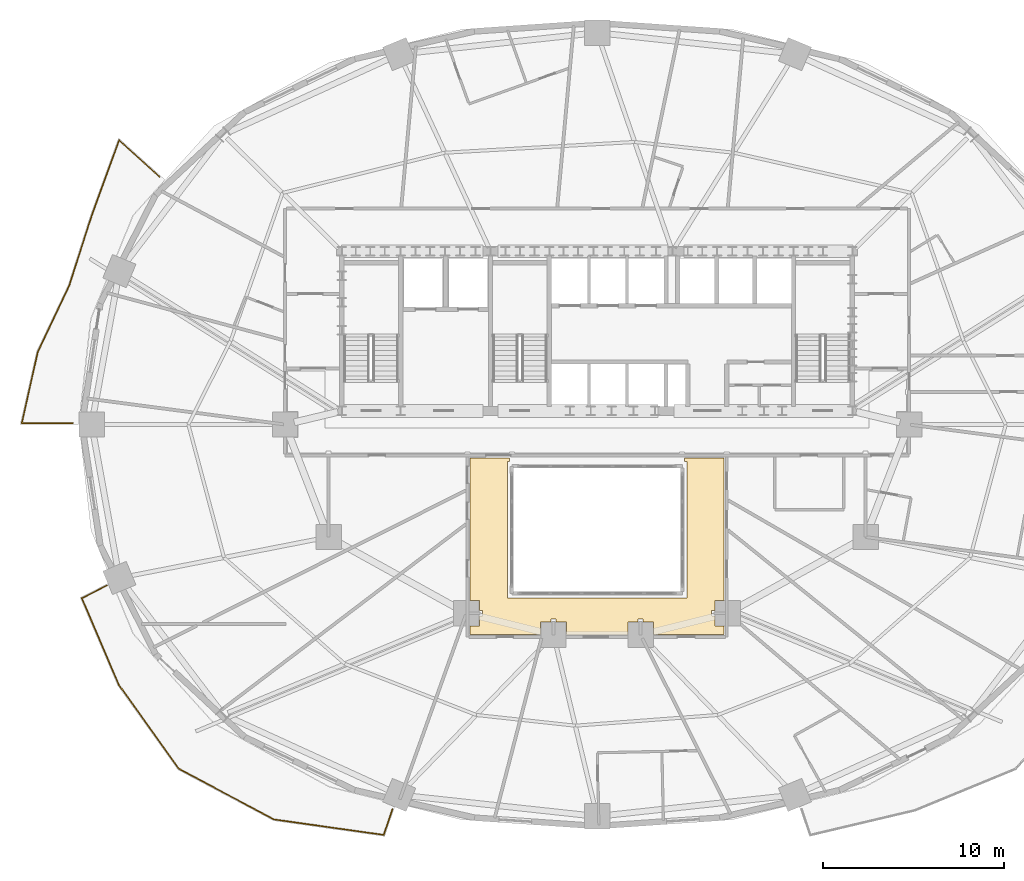
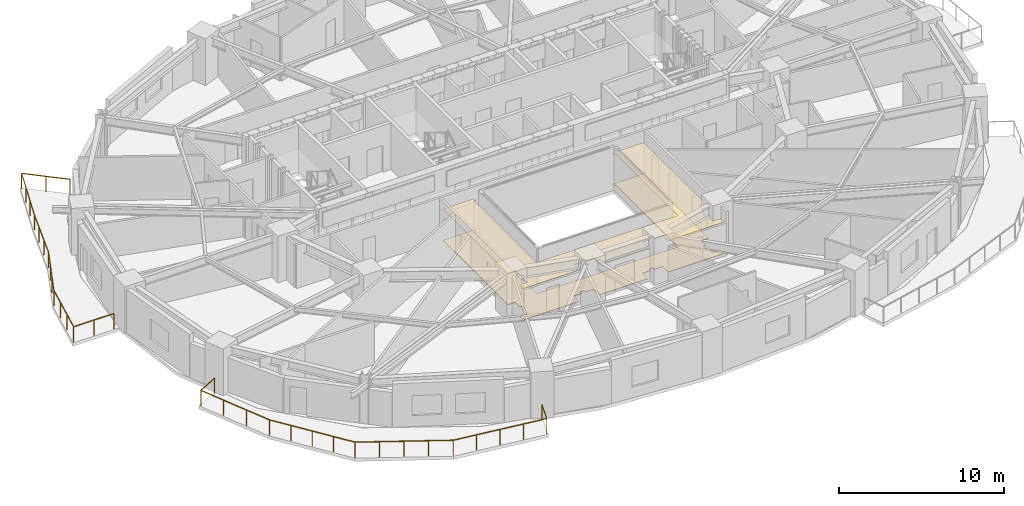
# One storey, part 13 of 15: 2 coverings, 2 railings.
"""IFC4 building model written with IfcOpenShell, lengths in metres."""

from ifc_helpers import new_model, si_unit, direction, frame, origin, origin_2d, place, context, subcontext, project, spatial, polyline, rectangle, outline, extrude, material, layer, layer_set, type_object, element, save


model = new_model("IFC4")

# Units and contexts
model_context = context("Model", 3, precision=1e-05, world=origin(), true_north=direction((0.0, 1.0)))
body_context = subcontext(model_context, "Body", "Model", "MODEL_VIEW")
ifc_project = project(units=[si_unit("LENGTHUNIT", "METRE"), si_unit("AREAUNIT", "SQUARE_METRE"), si_unit("VOLUMEUNIT", "CUBIC_METRE"), si_unit("PLANEANGLEUNIT", "RADIAN"), si_unit("MASSUNIT", "GRAM", prefix="KILO")], contexts=[model_context])

# Site, building, storey
site_placement = place(None, origin())
site = spatial("IfcSite", under=ifc_project, at=site_placement, CompositionType="ELEMENT")
building_placement = place(site_placement, origin())
building = spatial("IfcBuilding", under=site, at=building_placement, Name="Haldorwick Loom Tower", CompositionType="ELEMENT")
storey_placement = place(building_placement, frame((0.0, 0.0, 81.800048828125)))
storey = spatial("IfcBuildingStorey", under=building, at=storey_placement, Name="L21", CompositionType="ELEMENT", Elevation=81.800048828125)

# Coverings
ifc_material_1 = material(Name="Mineral Fibre Acoustic Ceiling Tile")
ifc_layer_1 = layer(ifc_material_1, 0.054931640625, Name="Mineral Fibre Acoustic Ceiling Tile")
ifc_layer_set_1 = layer_set([ifc_layer_1], Name="Mineral Fibre Acoustic Ceiling Tile")
covering_type_1 = type_object("IfcCoveringType", Name="ARC-COV-CEIL2", PredefinedType="CEILING", material=ifc_layer_set_1)
covering_1_placement = place(storey_placement, frame((0.0, 0.0, 2.302001953125)))
element("IfcCovering", 1, at=covering_1_placement, inside=storey, type_object=covering_type_1, Name="L21 Acoustic Suspended Ceiling 1", PredefinedType="CEILING", context=body_context, shape_type="SweptSolid", body=[
    extrude(outline(polyline([(40.820068359375, 24.159912109375), (40.820068359375, 23.949951171875), (40.949951171875, 23.949951171875), (40.949951171875, 16.449951171875), (31.050048828125, 16.449951171875), (31.050048828125, 23.949951171875), (31.179931640625, 23.949951171875), (31.179931640625, 24.159912109375), (28.989990234375, 24.159912109375), (28.989990234375, 16.30810546875), (29.508056640625, 16.30810546875), (29.508056640625, 15.739990234375), (29.669921875, 15.739990234375), (29.672119140625, 15.739990234375), (29.673828125, 15.739501953125), (29.67578125, 15.739013671875), (29.677734375, 15.738525390625), (29.679443359375, 15.737548828125), (29.68115234375, 15.736572265625), (29.6826171875, 15.735595703125), (29.68408203125, 15.734130859375), (29.685546875, 15.732666015625), (29.6865234375, 15.731201171875), (29.6875, 15.7294921875), (29.6884765625, 15.727783203125), (29.689208984375, 15.725830078125), (29.689697265625, 15.723876953125), (29.68994140625, 15.721923828125), (29.68994140625, 15.719970703125), (29.68994140625, 15.47998046875), (29.68994140625, 15.47802734375), (29.689697265625, 15.47607421875), (29.689208984375, 15.47412109375), (29.6884765625, 15.472412109375), (29.6875, 15.470703125), (29.6865234375, 15.468994140625), (29.685546875, 15.46728515625), (29.68408203125, 15.4658203125), (29.6826171875, 15.464599609375), (29.68115234375, 15.46337890625), (29.679443359375, 15.46240234375), (29.677734375, 15.46142578125), (29.67578125, 15.4609375), (29.673828125, 15.46044921875), (29.672119140625, 15.460205078125), (29.669921875, 15.4599609375), (29.508056640625, 15.4599609375), (29.508056640625, 14.89208984375), (28.989990234375, 14.89208984375), (28.989990234375, 14.43994140625), (32.89208984375, 14.43994140625), (32.89208984375, 15.10791015625), (33.4599609375, 15.10791015625), (33.4599609375, 15.27001953125), (33.460205078125, 15.27197265625), (33.46044921875, 15.27392578125), (33.4609375, 15.27587890625), (33.46142578125, 15.277587890625), (33.46240234375, 15.279296875), (33.46337890625, 15.281005859375), (33.464599609375, 15.28271484375), (33.4658203125, 15.2841796875), (33.46728515625, 15.285400390625), (33.468994140625, 15.28662109375), (33.470703125, 15.28759765625), (33.472412109375, 15.28857421875), (33.47412109375, 15.2890625), (33.47607421875, 15.28955078125), (33.47802734375, 15.289794921875), (33.47998046875, 15.2900390625), (33.719970703125, 15.2900390625), (33.721923828125, 15.289794921875), (33.723876953125, 15.28955078125), (33.725830078125, 15.2890625), (33.727783203125, 15.28857421875), (33.7294921875, 15.28759765625), (33.731201171875, 15.28662109375), (33.732666015625, 15.285400390625), (33.734130859375, 15.2841796875), (33.735595703125, 15.28271484375), (33.736572265625, 15.281005859375), (33.737548828125, 15.279296875), (33.738525390625, 15.277587890625), (33.739013671875, 15.27587890625), (33.739501953125, 15.27392578125), (33.739990234375, 15.27197265625), (33.739990234375, 15.27001953125), (33.739990234375, 15.10791015625), (34.30810546875, 15.10791015625), (34.30810546875, 14.43994140625), (37.69189453125, 14.43994140625), (37.69189453125, 15.10791015625), (38.260009765625, 15.10791015625), (38.260009765625, 15.27001953125), (38.260009765625, 15.27197265625), (38.260498046875, 15.27392578125), (38.260986328125, 15.27587890625), (38.261474609375, 15.277587890625), (38.262451171875, 15.279296875), (38.263427734375, 15.281005859375), (38.264404296875, 15.28271484375), (38.265869140625, 15.2841796875), (38.267333984375, 15.285400390625), (38.268798828125, 15.28662109375), (38.2705078125, 15.28759765625), (38.272216796875, 15.28857421875), (38.274169921875, 15.2890625), (38.276123046875, 15.28955078125), (38.278076171875, 15.289794921875), (38.280029296875, 15.2900390625), (38.52001953125, 15.2900390625), (38.52197265625, 15.289794921875), (38.52392578125, 15.28955078125), (38.52587890625, 15.2890625), (38.527587890625, 15.28857421875), (38.529296875, 15.28759765625), (38.531005859375, 15.28662109375), (38.53271484375, 15.285400390625), (38.5341796875, 15.2841796875), (38.535400390625, 15.28271484375), (38.53662109375, 15.28125), (38.53759765625, 15.279541015625), (38.538330078125, 15.277587890625), (38.5390625, 15.27587890625), (38.53955078125, 15.27392578125), (38.539794921875, 15.272216796875), (38.5400390625, 15.27001953125), (38.540771484375, 15.10791015625), (39.10791015625, 15.10791015625), (39.10791015625, 14.43994140625), (43.010009765625, 14.43994140625), (43.010009765625, 14.89208984375), (42.491943359375, 14.89208984375), (42.491943359375, 15.4599609375), (42.330078125, 15.4599609375), (42.327880859375, 15.460205078125), (42.326171875, 15.46044921875), (42.32421875, 15.4609375), (42.322265625, 15.46142578125), (42.320556640625, 15.46240234375), (42.31884765625, 15.46337890625), (42.3173828125, 15.464599609375), (42.31591796875, 15.4658203125), (42.314453125, 15.46728515625), (42.3134765625, 15.468994140625), (42.3125, 15.470703125), (42.3115234375, 15.472412109375), (42.310791015625, 15.47412109375), (42.310302734375, 15.47607421875), (42.31005859375, 15.47802734375), (42.31005859375, 15.47998046875), (42.31005859375, 15.719970703125), (42.31005859375, 15.721923828125), (42.310302734375, 15.723876953125), (42.310791015625, 15.725830078125), (42.3115234375, 15.727783203125), (42.3125, 15.7294921875), (42.3134765625, 15.731201171875), (42.314453125, 15.732666015625), (42.31591796875, 15.734130859375), (42.3173828125, 15.735595703125), (42.31884765625, 15.736572265625), (42.320556640625, 15.737548828125), (42.322265625, 15.738525390625), (42.32421875, 15.739013671875), (42.326171875, 15.739501953125), (42.327880859375, 15.739990234375), (42.330078125, 15.739990234375), (42.491943359375, 15.739990234375), (42.491943359375, 16.30810546875), (43.010009765625, 16.30810546875), (43.010009765625, 24.159912109375), (40.820068359375, 24.159912109375)])), origin(), (0.0, 0.0, 1.0), 0.054931640625),
])
ifc_material_2 = material(Name="Polished Aggregate Terrazzo Finish")
ifc_layer_2 = layer(ifc_material_2, 0.044921875, Name="Polished Aggregate Terrazzo Finish")
ifc_layer_set_2 = layer_set([ifc_layer_2], Name="Polished Aggregate Terrazzo Finish")
covering_type_2 = type_object("IfcCoveringType", Name="ARC-COV-FLOOR2", PredefinedType="FLOORING", material=ifc_layer_set_2)
covering_2_placement = place(storey_placement, origin())
element("IfcCovering", 2, at=covering_2_placement, inside=storey, type_object=covering_type_2, Name="L21 Floor Finish 1", PredefinedType="FLOORING", context=body_context, shape_type="SweptSolid", body=[
    extrude(outline(polyline([(40.820068359375, 24.159912109375), (40.820068359375, 23.949951171875), (40.949951171875, 23.949951171875), (40.949951171875, 16.449951171875), (31.050048828125, 16.449951171875), (31.050048828125, 23.949951171875), (31.179931640625, 23.949951171875), (31.179931640625, 24.159912109375), (28.989990234375, 24.159912109375), (28.989990234375, 16.30810546875), (29.508056640625, 16.30810546875), (29.508056640625, 15.739990234375), (29.669921875, 15.739990234375), (29.672119140625, 15.739990234375), (29.673828125, 15.739501953125), (29.67578125, 15.739013671875), (29.677734375, 15.738525390625), (29.679443359375, 15.737548828125), (29.68115234375, 15.736572265625), (29.6826171875, 15.735595703125), (29.68408203125, 15.734130859375), (29.685546875, 15.732666015625), (29.6865234375, 15.731201171875), (29.6875, 15.7294921875), (29.6884765625, 15.727783203125), (29.689208984375, 15.725830078125), (29.689697265625, 15.723876953125), (29.68994140625, 15.721923828125), (29.68994140625, 15.719970703125), (29.68994140625, 15.47998046875), (29.68994140625, 15.47802734375), (29.689697265625, 15.47607421875), (29.689208984375, 15.47412109375), (29.6884765625, 15.472412109375), (29.6875, 15.470703125), (29.6865234375, 15.468994140625), (29.685546875, 15.46728515625), (29.68408203125, 15.4658203125), (29.6826171875, 15.464599609375), (29.68115234375, 15.46337890625), (29.679443359375, 15.46240234375), (29.677734375, 15.46142578125), (29.67578125, 15.4609375), (29.673828125, 15.46044921875), (29.672119140625, 15.460205078125), (29.669921875, 15.4599609375), (29.508056640625, 15.4599609375), (29.508056640625, 14.89208984375), (28.989990234375, 14.89208984375), (28.989990234375, 14.43994140625), (32.89208984375, 14.43994140625), (32.89208984375, 15.10791015625), (33.4599609375, 15.10791015625), (33.4599609375, 15.27001953125), (33.460205078125, 15.27197265625), (33.46044921875, 15.27392578125), (33.4609375, 15.27587890625), (33.46142578125, 15.277587890625), (33.46240234375, 15.279296875), (33.46337890625, 15.281005859375), (33.464599609375, 15.28271484375), (33.4658203125, 15.2841796875), (33.46728515625, 15.285400390625), (33.468994140625, 15.28662109375), (33.470703125, 15.28759765625), (33.472412109375, 15.28857421875), (33.47412109375, 15.2890625), (33.47607421875, 15.28955078125), (33.47802734375, 15.289794921875), (33.47998046875, 15.2900390625), (33.719970703125, 15.2900390625), (33.721923828125, 15.289794921875), (33.723876953125, 15.28955078125), (33.725830078125, 15.2890625), (33.727783203125, 15.28857421875), (33.7294921875, 15.28759765625), (33.731201171875, 15.28662109375), (33.732666015625, 15.285400390625), (33.734130859375, 15.2841796875), (33.735595703125, 15.28271484375), (33.736572265625, 15.281005859375), (33.737548828125, 15.279296875), (33.738525390625, 15.277587890625), (33.739013671875, 15.27587890625), (33.739501953125, 15.27392578125), (33.739990234375, 15.27197265625), (33.739990234375, 15.27001953125), (33.739990234375, 15.10791015625), (34.30810546875, 15.10791015625), (34.30810546875, 14.43994140625), (37.69189453125, 14.43994140625), (37.69189453125, 15.10791015625), (38.260009765625, 15.10791015625), (38.260009765625, 15.27001953125), (38.260009765625, 15.27197265625), (38.260498046875, 15.27392578125), (38.260986328125, 15.27587890625), (38.261474609375, 15.277587890625), (38.262451171875, 15.279296875), (38.263427734375, 15.281005859375), (38.264404296875, 15.28271484375), (38.265869140625, 15.2841796875), (38.267333984375, 15.285400390625), (38.268798828125, 15.28662109375), (38.2705078125, 15.28759765625), (38.272216796875, 15.28857421875), (38.274169921875, 15.2890625), (38.276123046875, 15.28955078125), (38.278076171875, 15.289794921875), (38.280029296875, 15.2900390625), (38.52001953125, 15.2900390625), (38.52197265625, 15.289794921875), (38.52392578125, 15.28955078125), (38.52587890625, 15.2890625), (38.527587890625, 15.28857421875), (38.529296875, 15.28759765625), (38.531005859375, 15.28662109375), (38.53271484375, 15.285400390625), (38.5341796875, 15.2841796875), (38.535400390625, 15.28271484375), (38.53662109375, 15.28125), (38.53759765625, 15.279541015625), (38.538330078125, 15.277587890625), (38.5390625, 15.27587890625), (38.53955078125, 15.27392578125), (38.539794921875, 15.272216796875), (38.5400390625, 15.27001953125), (38.540771484375, 15.10791015625), (39.10791015625, 15.10791015625), (39.10791015625, 14.43994140625), (43.010009765625, 14.43994140625), (43.010009765625, 14.89208984375), (42.491943359375, 14.89208984375), (42.491943359375, 15.4599609375), (42.330078125, 15.4599609375), (42.327880859375, 15.460205078125), (42.326171875, 15.46044921875), (42.32421875, 15.4609375), (42.322265625, 15.46142578125), (42.320556640625, 15.46240234375), (42.31884765625, 15.46337890625), (42.3173828125, 15.464599609375), (42.31591796875, 15.4658203125), (42.314453125, 15.46728515625), (42.3134765625, 15.468994140625), (42.3125, 15.470703125), (42.3115234375, 15.472412109375), (42.310791015625, 15.47412109375), (42.310302734375, 15.47607421875), (42.31005859375, 15.47802734375), (42.31005859375, 15.47998046875), (42.31005859375, 15.719970703125), (42.31005859375, 15.721923828125), (42.310302734375, 15.723876953125), (42.310791015625, 15.725830078125), (42.3115234375, 15.727783203125), (42.3125, 15.7294921875), (42.3134765625, 15.731201171875), (42.314453125, 15.732666015625), (42.31591796875, 15.734130859375), (42.3173828125, 15.735595703125), (42.31884765625, 15.736572265625), (42.320556640625, 15.737548828125), (42.322265625, 15.738525390625), (42.32421875, 15.739013671875), (42.326171875, 15.739501953125), (42.327880859375, 15.739990234375), (42.330078125, 15.739990234375), (42.491943359375, 15.739990234375), (42.491943359375, 16.30810546875), (43.010009765625, 16.30810546875), (43.010009765625, 24.159912109375), (40.820068359375, 24.159912109375)])), origin(), (0.0, 0.0, 1.0), 0.044921875),
])

# Railings
ifc_material_3 = material(Name="Galvanized Steel CSA G40.21 350W", Category="steel")
railing_type = type_object("IfcRailingType", Name="ARC-RLG-BAL115", PredefinedType="BALUSTRADE", material=ifc_material_3)
railing_1_placement = place(storey_placement, frame((24.7255859375, 4.806640625, 0.0)))
element("IfcRailing", 3, at=railing_1_placement, inside=storey, type_object=railing_type, Name="L21 Outdoor Terrace Guardrail SLB-L21-BAL_SW-1", PredefinedType="BALUSTRADE", context=body_context, shape_type="SweptSolid", body=[
    extrude(rectangle(XDim=0.048095703125, YDim=0.048095703125, at=origin_2d()), frame((0.0, 0.0, 1.1259765625), z_axis=(-0.322495651045, -0.946570945602, 0.0), x_axis=(0.946570945602, -0.322495651045, 0.0)), (0.0, 0.0, 1.0), 1.505859375),
    extrude(rectangle(XDim=0.048095703125, YDim=0.048095703125, at=origin_2d()), frame((-0.485595703125, -1.42529296875, 1.1259765625), z_axis=(-0.990214204772, 0.139555826346, 0.0), x_axis=(-0.139555826346, -0.990214204772, 0.0)), (0.0, 0.0, 1.0), 6.10205078125),
    extrude(rectangle(XDim=0.048095703125, YDim=0.048095703125, at=origin_2d()), frame((-6.52783203125, -0.57373046875, 1.1259765625), z_axis=(-0.882850640065, 0.469653859068, 0.0), x_axis=(-0.469653859068, -0.882850640065, 0.0)), (0.0, 0.0, 1.0), 5.941650390625),
    extrude(rectangle(XDim=0.048095703125, YDim=0.048095703125, at=origin_2d()), frame((-11.7734375, 2.216796875, 1.1259765625), z_axis=(-0.581797568397, 0.813333627368, 0.0), x_axis=(-0.813333627368, -0.581797568397, 0.0)), (0.0, 0.0, 1.0), 5.696044921875),
    extrude(rectangle(XDim=0.048095703125, YDim=0.048095703125, at=origin_2d()), frame((-15.08740234375, 6.849609375, 1.1259765625), z_axis=(-0.392692362195, 0.919669891142, 0.0), x_axis=(-0.919669891142, -0.392692362195, 0.0)), (0.0, 0.0, 1.0), 5.188720703125),
    extrude(rectangle(XDim=0.048095703125, YDim=0.048095703125, at=origin_2d()), frame((-17.125, 11.62158203125, 1.1259765625), z_axis=(0.891935865166, 0.452161931647, 0.0), x_axis=(-0.452161931647, 0.891935865166, 0.0)), (0.0, 0.0, 1.0), 1.537109375),
    extrude(rectangle(XDim=0.0419921875, YDim=0.0419921875, at=origin_2d()), origin(), (0.0, 0.0, 1.0), 1.101806640625),
    extrude(rectangle(XDim=0.0419921875, YDim=0.0419921875, at=origin_2d()), frame((-0.485595703125, -1.42529296875, 0.0)), (0.0, 0.0, 1.0), 1.101806640625),
    extrude(rectangle(XDim=0.0419921875, YDim=0.0419921875, at=origin_2d()), frame((-1.99609375, -1.21240234375, 0.0)), (0.0, 0.0, 1.0), 1.101806640625),
    extrude(rectangle(XDim=0.0419921875, YDim=0.0419921875, at=origin_2d()), frame((-3.5068359375, -0.99951171875, 0.0)), (0.0, 0.0, 1.0), 1.101806640625),
    extrude(rectangle(XDim=0.0419921875, YDim=0.0419921875, at=origin_2d()), frame((-5.017333984375, -0.78662109375, 0.0)), (0.0, 0.0, 1.0), 1.101806640625),
    extrude(rectangle(XDim=0.0419921875, YDim=0.0419921875, at=origin_2d()), frame((-6.52783203125, -0.57373046875, 0.0)), (0.0, 0.0, 1.0), 1.101806640625),
    extrude(rectangle(XDim=0.0419921875, YDim=0.0419921875, at=origin_2d()), frame((-7.83935546875, 0.1240234375, 0.0)), (0.0, 0.0, 1.0), 1.101806640625),
    extrude(rectangle(XDim=0.0419921875, YDim=0.0419921875, at=origin_2d()), frame((-9.150634765625, 0.821533203125, 0.0)), (0.0, 0.0, 1.0), 1.101806640625),
    extrude(rectangle(XDim=0.0419921875, YDim=0.0419921875, at=origin_2d()), frame((-10.4619140625, 1.51904296875, 0.0)), (0.0, 0.0, 1.0), 1.101806640625),
    extrude(rectangle(XDim=0.0419921875, YDim=0.0419921875, at=origin_2d()), frame((-11.7734375, 2.216796875, 0.0)), (0.0, 0.0, 1.0), 1.101806640625),
    extrude(rectangle(XDim=0.0419921875, YDim=0.0419921875, at=origin_2d()), frame((-12.60205078125, 3.375, 0.0)), (0.0, 0.0, 1.0), 1.101806640625),
    extrude(rectangle(XDim=0.0419921875, YDim=0.0419921875, at=origin_2d()), frame((-13.430419921875, 4.533203125, 0.0)), (0.0, 0.0, 1.0), 1.101806640625),
    extrude(rectangle(XDim=0.0419921875, YDim=0.0419921875, at=origin_2d()), frame((-14.2587890625, 5.69140625, 0.0)), (0.0, 0.0, 1.0), 1.101806640625),
    extrude(rectangle(XDim=0.0419921875, YDim=0.0419921875, at=origin_2d()), frame((-15.08740234375, 6.849609375, 0.0)), (0.0, 0.0, 1.0), 1.101806640625),
    extrude(rectangle(XDim=0.0419921875, YDim=0.0419921875, at=origin_2d()), frame((-15.7666015625, 8.440185546875, 0.0)), (0.0, 0.0, 1.0), 1.101806640625),
    extrude(rectangle(XDim=0.0419921875, YDim=0.0419921875, at=origin_2d()), frame((-16.44580078125, 10.031005859375, 0.0)), (0.0, 0.0, 1.0), 1.101806640625),
    extrude(rectangle(XDim=0.0419921875, YDim=0.0419921875, at=origin_2d()), frame((-17.125, 11.62158203125, 0.0)), (0.0, 0.0, 1.0), 1.101806640625),
    extrude(rectangle(XDim=0.0419921875, YDim=0.0419921875, at=origin_2d()), frame((-15.75390625, 12.316650390625, 0.0)), (0.0, 0.0, 1.0), 1.101806640625),
])
railing_2_placement = place(storey_placement, frame((7.09912109375, 26.080078125, 0.0)))
element("IfcRailing", 4, at=railing_2_placement, inside=storey, type_object=railing_type, Name="L21 Outdoor Terrace Guardrail SLB-L21-BAL_WNW-1", PredefinedType="BALUSTRADE", context=body_context, shape_type="SweptSolid", body=[
    extrude(rectangle(XDim=0.048095703125, YDim=0.048095703125, at=origin_2d()), frame((0.0, 0.0, 1.1259765625), z_axis=(-1.0, 0.0, 0.0), x_axis=(0.0, -1.0, 0.0)), (0.0, 0.0, 1.0), 2.806884765625),
    extrude(rectangle(XDim=0.048095703125, YDim=0.048095703125, at=origin_2d()), frame((-2.806884765625, 0.0, 1.1259765625), z_axis=(0.218854130939, 0.975757587401, 0.0), x_axis=(-0.975757587401, 0.218854130939, 0.0)), (0.0, 0.0, 1.0), 4.01708984375),
    extrude(rectangle(XDim=0.048095703125, YDim=0.048095703125, at=origin_2d()), frame((-1.927734375, 3.919677734375, 1.1259765625), z_axis=(0.429473394358, 0.903079511194, 0.0), x_axis=(-0.903079511194, 0.429473394358, 0.0)), (0.0, 0.0, 1.0), 4.01611328125),
    extrude(rectangle(XDim=0.048095703125, YDim=0.048095703125, at=origin_2d()), frame((-0.202880859375, 7.546630859375, 1.1259765625), z_axis=(0.363542485653, 0.931577619485, 0.0), x_axis=(-0.931577619485, 0.363542485653, 0.0)), (0.0, 0.0, 1.0), 0.0107421875),
    extrude(rectangle(XDim=0.048095703125, YDim=0.048095703125, at=origin_2d()), frame((-0.198974609375, 7.556640625, 1.1259765625), z_axis=(0.30505541462, 0.952334601918, 0.0), x_axis=(-0.952334601918, 0.30505541462, 0.0)), (0.0, 0.0, 1.0), 4.085693359375),
    extrude(rectangle(XDim=0.048095703125, YDim=0.048095703125, at=origin_2d()), frame((1.04736328125, 11.447509765625, 1.1259765625), z_axis=(0.342271759073, 0.93960100199, 0.0), x_axis=(-0.93960100199, 0.342271759073, 0.0)), (0.0, 0.0, 1.0), 4.41162109375),
    extrude(rectangle(XDim=0.048095703125, YDim=0.048095703125, at=origin_2d()), frame((2.557373046875, 15.5927734375, 1.1259765625), z_axis=(0.741606999005, -0.670834598859, 0.0), x_axis=(0.670834598859, 0.741606999005, 0.0)), (0.0, 0.0, 1.0), 3.004638671875),
    extrude(rectangle(XDim=0.0419921875, YDim=0.0419921875, at=origin_2d()), origin(), (0.0, 0.0, 1.0), 1.101806640625),
    extrude(rectangle(XDim=0.0419921875, YDim=0.0419921875, at=origin_2d()), frame((-1.4033203125, 0.0, 0.0)), (0.0, 0.0, 1.0), 1.101806640625),
    extrude(rectangle(XDim=0.0419921875, YDim=0.0419921875, at=origin_2d()), frame((-2.806884765625, 0.0, 0.0)), (0.0, 0.0, 1.0), 1.101806640625),
    extrude(rectangle(XDim=0.0419921875, YDim=0.0419921875, at=origin_2d()), frame((-2.513916015625, 1.306640625, 0.0)), (0.0, 0.0, 1.0), 1.101806640625),
    extrude(rectangle(XDim=0.0419921875, YDim=0.0419921875, at=origin_2d()), frame((-2.220703125, 2.613037109375, 0.0)), (0.0, 0.0, 1.0), 1.101806640625),
    extrude(rectangle(XDim=0.0419921875, YDim=0.0419921875, at=origin_2d()), frame((-1.927734375, 3.919677734375, 0.0)), (0.0, 0.0, 1.0), 1.101806640625),
    extrude(rectangle(XDim=0.0419921875, YDim=0.0419921875, at=origin_2d()), frame((-1.352783203125, 5.128662109375, 0.0)), (0.0, 0.0, 1.0), 1.101806640625),
    extrude(rectangle(XDim=0.0419921875, YDim=0.0419921875, at=origin_2d()), frame((-0.77783203125, 6.337646484375, 0.0)), (0.0, 0.0, 1.0), 1.101806640625),
    extrude(rectangle(XDim=0.0419921875, YDim=0.0419921875, at=origin_2d()), frame((-0.202880859375, 7.546630859375, 0.0)), (0.0, 0.0, 1.0), 1.101806640625),
    extrude(rectangle(XDim=0.0419921875, YDim=0.0419921875, at=origin_2d()), frame((0.216552734375, 8.853515625, 0.0)), (0.0, 0.0, 1.0), 1.101806640625),
    extrude(rectangle(XDim=0.0419921875, YDim=0.0419921875, at=origin_2d()), frame((0.6318359375, 10.150634765625, 0.0)), (0.0, 0.0, 1.0), 1.101806640625),
    extrude(rectangle(XDim=0.0419921875, YDim=0.0419921875, at=origin_2d()), frame((1.04736328125, 11.447509765625, 0.0)), (0.0, 0.0, 1.0), 1.101806640625),
    extrude(rectangle(XDim=0.0419921875, YDim=0.0419921875, at=origin_2d()), frame((1.55078125, 12.829345703125, 0.0)), (0.0, 0.0, 1.0), 1.101806640625),
    extrude(rectangle(XDim=0.0419921875, YDim=0.0419921875, at=origin_2d()), frame((2.053955078125, 14.2109375, 0.0)), (0.0, 0.0, 1.0), 1.101806640625),
    extrude(rectangle(XDim=0.0419921875, YDim=0.0419921875, at=origin_2d()), frame((2.557373046875, 15.5927734375, 0.0)), (0.0, 0.0, 1.0), 1.101806640625),
    extrude(rectangle(XDim=0.0419921875, YDim=0.0419921875, at=origin_2d()), frame((3.67138671875, 14.5849609375, 0.0)), (0.0, 0.0, 1.0), 1.101806640625),
    extrude(rectangle(XDim=0.0419921875, YDim=0.0419921875, at=origin_2d()), frame((4.78564453125, 13.5771484375, 0.0)), (0.0, 0.0, 1.0), 1.101806640625),
])

save(model, "model.ifc")
